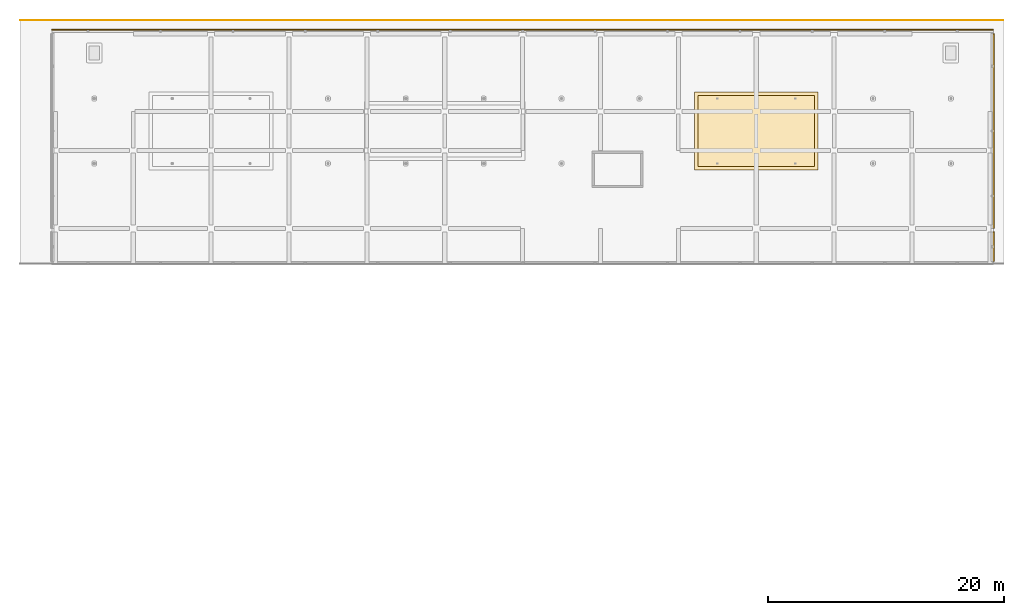
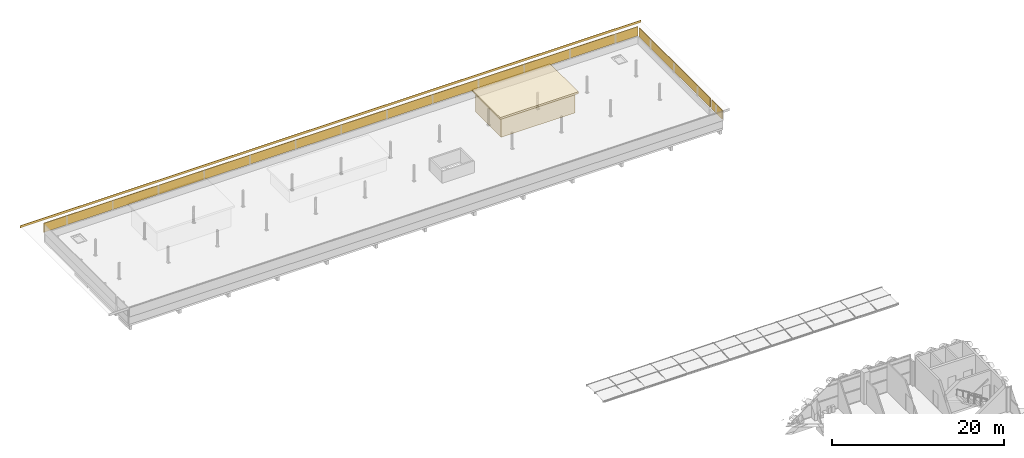
# One storey, part 60 of 61: 6 coverings.
"""IFC4 building model written with IfcOpenShell, lengths in metres."""

from ifc_helpers import new_model, si_unit, direction, frame, frame_2d, origin, origin_2d, place, context, subcontext, project, spatial, polyline, rectangle, outline, extrude, material, layer, layer_set, type_object, element, save


model = new_model("IFC4")

# Units and contexts
model_context = context("Model", 3, precision=1e-05, world=origin(), true_north=direction((0.0, 1.0)))
body_context = subcontext(model_context, "Body", "Model", "MODEL_VIEW")
ifc_project = project(units=[si_unit("LENGTHUNIT", "METRE"), si_unit("AREAUNIT", "SQUARE_METRE"), si_unit("VOLUMEUNIT", "CUBIC_METRE"), si_unit("PLANEANGLEUNIT", "RADIAN"), si_unit("MASSUNIT", "GRAM", prefix="KILO")], contexts=[model_context])

# Site, building, storey
site_placement = place(None, origin())
site = spatial("IfcSite", under=ifc_project, at=site_placement, CompositionType="ELEMENT")
building_placement = place(site_placement, origin())
building = spatial("IfcBuilding", under=site, at=building_placement, Name="Lantern Court Research Institute", CompositionType="ELEMENT")
storey_placement = place(building_placement, frame((0.0, 0.0, 23.39990234375)))
storey = spatial("IfcBuildingStorey", under=building, at=storey_placement, Name="L05", CompositionType="ELEMENT", Elevation=23.39990234375)

# Coverings
ifc_material_1 = material(Name="Aluminium composite panel with mineral wool insulation", Category="aluminium")
ifc_layer_1 = layer(ifc_material_1, 0.10009765625)
ifc_layer_set_1 = layer_set([ifc_layer_1], Name="Aluminium composite panel with mineral wool insulation")
covering_type_1 = type_object("IfcCoveringType", Name="Parapet cornice strip 100 aluminium composite", PredefinedType="CLADDING", material=ifc_layer_set_1)
covering_1_placement = place(storey_placement, frame((79.47509765625, 79.699951171875, -23.39990234375), z_axis=(1.0, 0.0, 0.0), x_axis=(0.0, 1.0, 0.0)))
element("IfcCovering", 1, at=covering_1_placement, inside=storey, type_object=covering_type_1, Name="Parapet cornice strip V6 15", PredefinedType="CLADDING", context=body_context, shape_type="SweptSolid", body=[
    extrude(outline(polyline([(0.0, 24.5), (2.5, 24.5), (2.5, 25.7900390625), (0.0, 25.7900390625), (0.0, 24.5)])), origin(), (0.0, 0.0, 1.0), 0.10009765625),
])
covering_2_placement = place(storey_placement, frame((79.47509765625, 82.5, -23.39990234375), z_axis=(1.0, 0.0, 0.0), x_axis=(0.0, 1.0, 0.0)))
element("IfcCovering", 2, at=covering_2_placement, inside=storey, type_object=covering_type_1, Name="Parapet cornice strip V6 16", PredefinedType="CLADDING", context=body_context, shape_type="SweptSolid", body=[
    extrude(outline(polyline([(0.0, 24.5), (16.5, 24.5), (16.5, 25.7900390625), (0.0, 25.7900390625), (0.0, 24.5)])), origin(), (0.0, 0.0, 1.0), 0.10009765625),
])
covering_3_placement = place(storey_placement, frame((79.5, 99.27490234375, -23.39990234375), z_axis=(0.0, 1.0, 0.0), x_axis=(-1.0, 0.0, 0.0)))
element("IfcCovering", 3, at=covering_3_placement, inside=storey, type_object=covering_type_1, Name="Parapet cornice strip V6 17", PredefinedType="CLADDING", context=body_context, shape_type="SweptSolid", body=[
    extrude(outline(polyline([(0.0, 24.5), (79.800048828125, 24.5), (79.800048828125, 25.7900390625), (0.0, 25.7900390625), (0.0, 24.5)])), origin(), (0.0, 0.0, 1.0), 0.10009765625),
])
ifc_material_2 = material(Name="Anodised aluminium", Category="aluminium")
ifc_layer_2 = layer(ifc_material_2, 0.030029296875)
ifc_layer_set_2 = layer_set([ifc_layer_2], Name="Anodised aluminium")
covering_type_2 = type_object("IfcCoveringType", Name="Roof fascia 30 x 300 aluminium", PredefinedType="CLADDING", material=ifc_layer_set_2)
covering_4_placement = place(storey_placement, frame((-3.0, 100.14501953125, 2.150146484375), z_axis=(0.0, 0.0, 1.0), x_axis=(1.0, 0.0, 0.0)))
element("IfcCovering", 4, at=covering_4_placement, inside=storey, type_object=covering_type_2, Name="Roof fascia V6 N", PredefinedType="CLADDING", context=body_context, shape_type="SweptSolid", body=[
    extrude(rectangle(XDim=83.35009765625, YDim=0.030029296875, at=frame_2d((41.675048828125, 0.0))), origin(), (0.0, 0.0, 1.0), 0.33984375),
])
ifc_material_3 = material(Name="Aluminium composite panel with mineral wool insulation", Category="aluminium")
ifc_layer_3 = layer(ifc_material_3, 0.10009765625)
ifc_layer_set_3 = layer_set([ifc_layer_3], Name="Aluminium composite panel with mineral wool insulation")
covering_type_3 = type_object("IfcCoveringType", Name="Tower crown cladding 100 aluminium composite", PredefinedType="CLADDING", material=ifc_layer_set_3)
covering_5_placement = place(storey_placement, frame((59.39990234375, 90.75, 2.420166015625), z_axis=(0.0, 0.0, 1.0), x_axis=(1.0, 0.0, 0.0)))
element("IfcCovering", 5, at=covering_5_placement, inside=storey, type_object=covering_type_3, Name="Roof pavilion 3", PredefinedType="CLADDING", context=body_context, shape_type="SweptSolid", body=[
    extrude(rectangle(XDim=9.89990234375, YDim=6.0, at=origin_2d()), origin(), (0.0, 0.0, 1.0), 2.830078125),
])
covering_6_placement = place(storey_placement, frame((59.39990234375, 90.75, 5.25), z_axis=(0.0, 0.0, 1.0), x_axis=(1.0, 0.0, 0.0)))
element("IfcCovering", 6, at=covering_6_placement, inside=storey, type_object=covering_type_3, Name="Roof pavilion cornice 3", PredefinedType="CLADDING", context=body_context, shape_type="SweptSolid", body=[
    extrude(rectangle(XDim=10.5, YDim=6.60009765625, at=origin_2d()), origin(), (0.0, 0.0, 1.0), 0.25),
])

save(model, "model.ifc")
